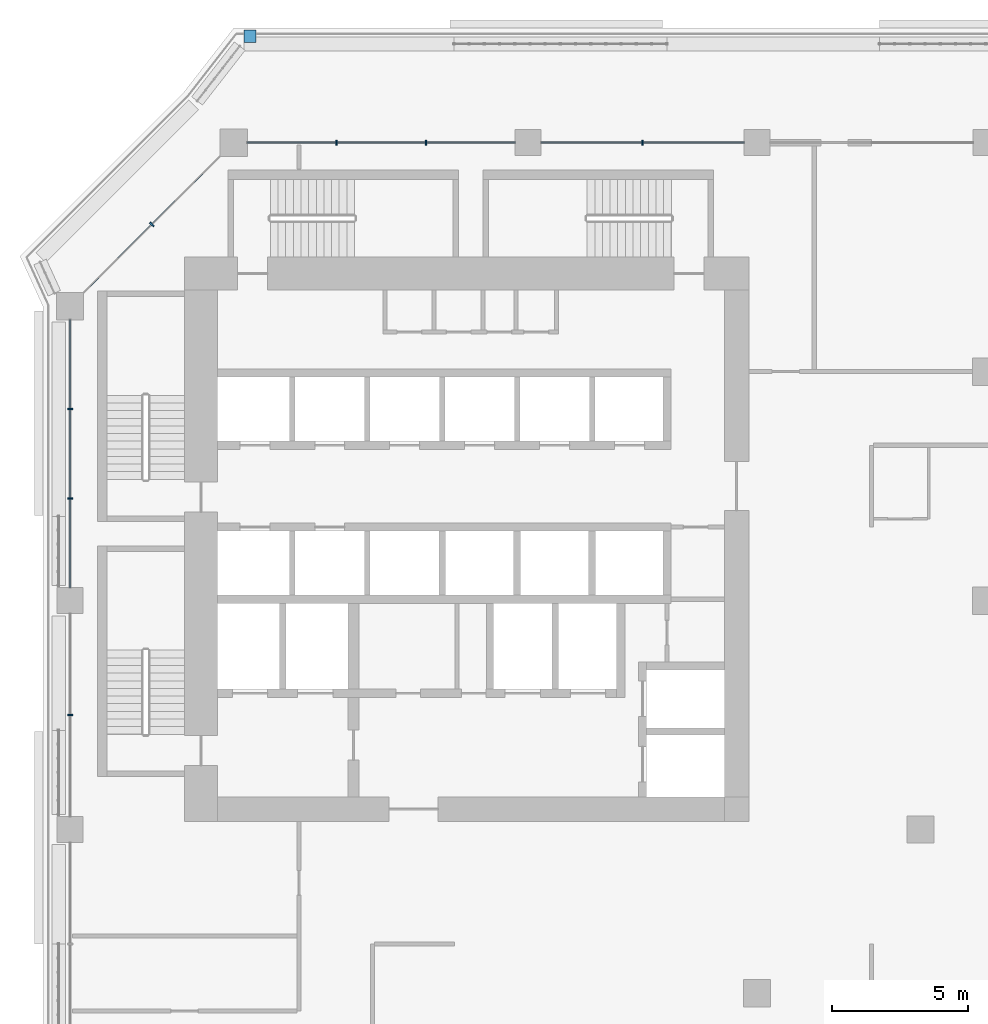
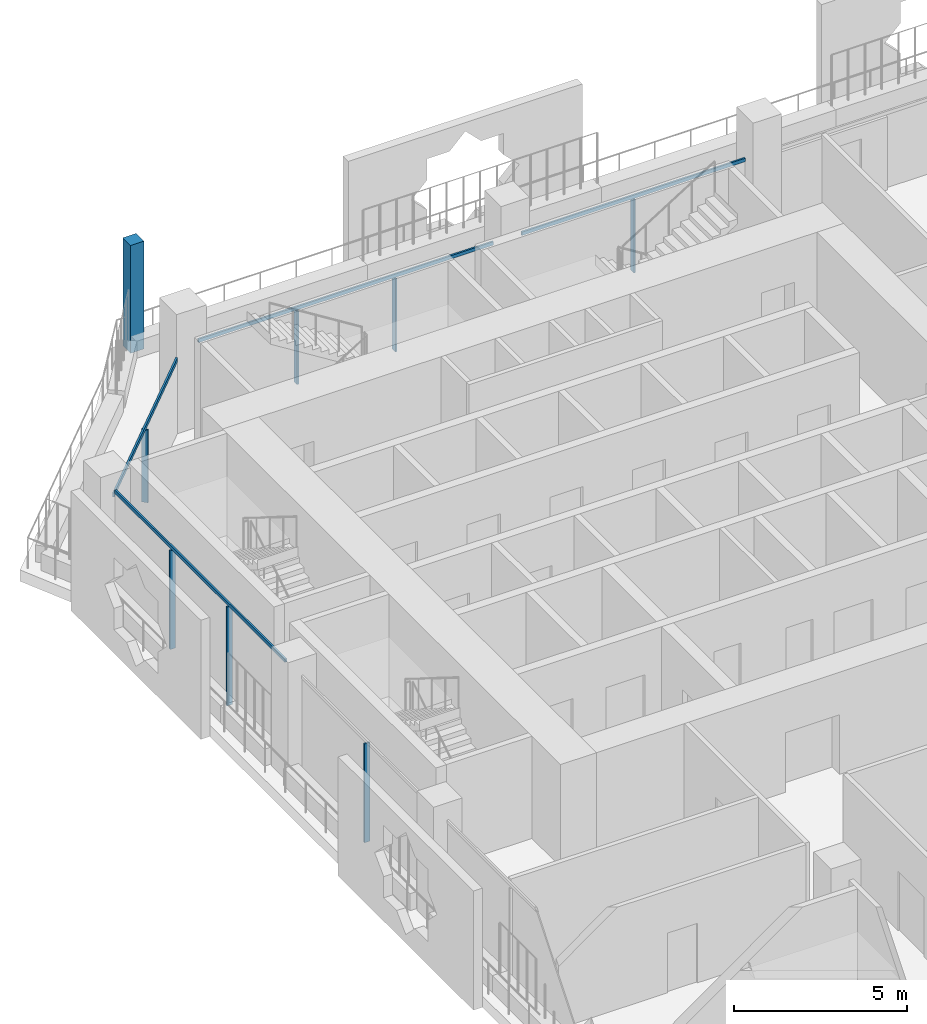
# One storey, part 5 of 23: 12 members, 4 elements without a shape of their own.
"""IFC4 building model written with IfcOpenShell, lengths in metres."""

from ifc_helpers import new_model, si_unit, direction, frame, origin, origin_2d, place, context, subcontext, project, spatial, rectangle, extrude, material, layer, layer_set, material_profile, profile_set, type_object, element, aggregate, save


model = new_model("IFC4")

# Units and contexts
model_context = context("Model", 3, precision=1e-05, world=origin(), true_north=direction((0.0, 1.0)))
body_context = subcontext(model_context, "Body", "Model", "MODEL_VIEW")
ifc_project = project(units=[si_unit("LENGTHUNIT", "METRE"), si_unit("AREAUNIT", "SQUARE_METRE"), si_unit("VOLUMEUNIT", "CUBIC_METRE"), si_unit("PLANEANGLEUNIT", "RADIAN"), si_unit("MASSUNIT", "GRAM", prefix="KILO")], contexts=[model_context])

# Site, building, storey
site_placement = place(None, origin())
site = spatial("IfcSite", under=ifc_project, at=site_placement, CompositionType="ELEMENT")
building_placement = place(site_placement, origin())
building = spatial("IfcBuilding", under=site, at=building_placement, Name="Kawkab Arch Medical Tower", CompositionType="ELEMENT")
storey_placement = place(building_placement, frame((0.0, 0.0, 158.39990234375)))
storey = spatial("IfcBuildingStorey", under=building, at=storey_placement, Name="L36", CompositionType="ELEMENT", Elevation=158.39990234375)

# Curtain wall, members
ifc_material_1 = material(Name="Bronze anodised aluminium curtain wall frame", Category="aluminium")
ifc_layer_1 = layer(ifc_material_1, 0.159912109375)
ifc_layer_set_1 = layer_set([ifc_layer_1], Name="Bronze anodised aluminium curtain wall frame")
curtain_wall_type_1 = type_object("IfcCurtainWallType", Name="CW1 ward curtain wall", PredefinedType="NOTDEFINED", material=ifc_layer_set_1)
placement = place(storey_placement, origin())
curtain_wall_1 = element("IfcCurtainWall", 1, at=placement, inside=storey, type_object=curtain_wall_type_1, Name="CW1 Ward curtain wall R09", PredefinedType="NOTDEFINED")
ifc_material_2 = material(Name="Bronze anodised aluminium curtain wall frame", Category="aluminium")
ifc_material_profile_1 = material_profile(ifc_material_2, rectangle(XDim=0.179931640625, YDim=0.06005859375, at=origin_2d()), Name="AL 60x180")
ifc_profile_set_1 = profile_set([ifc_material_profile_1], Name="Bronze anodised aluminium curtain wall frame")
member_type_1 = type_object("IfcMemberType", Name="CW1 mullion 60 x 180", PredefinedType="MULLION", material=ifc_profile_set_1)
member_1_placement = place(storey_placement, frame((21.0, 0.0, 0.0), z_axis=(0.0, 0.0, 1.0), x_axis=(0.0, -1.0, 0.0)))
member_1 = element("IfcMember", 2, at=member_1_placement, type_object=member_type_1, Name="CW1 mullion 5.1", PredefinedType="MULLION", context=body_context, shape_type="SweptSolid", body=[
    extrude(rectangle(XDim=0.179931640625, YDim=0.06005859375, at=origin_2d()), origin(), (0.0, 0.0, 1.0), 2.580078125),
])
member_2_placement = place(storey_placement, frame((13.050048828125, 0.0, 0.0), z_axis=(0.0, 0.0, 1.0), x_axis=(0.0, -1.0, 0.0)))
member_2 = element("IfcMember", 3, at=member_2_placement, type_object=member_type_1, Name="CW1 mullion 6.1", PredefinedType="MULLION", context=body_context, shape_type="SweptSolid", body=[
    extrude(rectangle(XDim=0.179931640625, YDim=0.06005859375, at=origin_2d()), origin(), (0.0, 0.0, 1.0), 2.580078125),
])
member_3_placement = place(storey_placement, frame((9.77490234375, 0.0, 0.0), z_axis=(0.0, 0.0, 1.0), x_axis=(0.0, -1.0, 0.0)))
member_3 = element("IfcMember", 4, at=member_3_placement, type_object=member_type_1, Name="CW1 mullion 6.2", PredefinedType="MULLION", context=body_context, shape_type="SweptSolid", body=[
    extrude(rectangle(XDim=0.179931640625, YDim=0.06005859375, at=origin_2d()), origin(), (0.0, 0.0, 1.0), 2.580078125),
])

curtain_wall_2 = element("IfcCurtainWall", 5, at=placement, inside=storey, type_object=curtain_wall_type_1, Name="CW1 Ward curtain wall R11", PredefinedType="NOTDEFINED")
member_4_placement = place(storey_placement, frame((0.0, -9.77490234375, 0.0), z_axis=(0.0, 0.0, 1.0), x_axis=(1.0, 0.0, 0.0)))
member_4 = element("IfcMember", 6, at=member_4_placement, type_object=member_type_1, Name="CW1 mullion 1.1", PredefinedType="MULLION", context=body_context, shape_type="SweptSolid", body=[
    extrude(rectangle(XDim=0.179931640625, YDim=0.06005859375, at=origin_2d()), origin(), (0.0, 0.0, 1.0), 3.47998046875),
])
member_5_placement = place(storey_placement, frame((0.0, -13.050048828125, 0.0), z_axis=(0.0, 0.0, 1.0), x_axis=(1.0, 0.0, 0.0)))
member_5 = element("IfcMember", 7, at=member_5_placement, type_object=member_type_1, Name="CW1 mullion 1.2", PredefinedType="MULLION", context=body_context, shape_type="SweptSolid", body=[
    extrude(rectangle(XDim=0.179931640625, YDim=0.06005859375, at=origin_2d()), origin(), (0.0, 0.0, 1.0), 3.47998046875),
])
member_6_placement = place(storey_placement, frame((0.0, -21.0, 0.0), z_axis=(0.0, 0.0, 1.0), x_axis=(1.0, 0.0, 0.0)))
member_6 = element("IfcMember", 8, at=member_6_placement, type_object=member_type_1, Name="CW1 mullion 2.1", PredefinedType="MULLION", context=body_context, shape_type="SweptSolid", body=[
    extrude(rectangle(XDim=0.179931640625, YDim=0.06005859375, at=origin_2d()), origin(), (0.0, 0.0, 1.0), 3.47998046875),
])

# Member
ifc_material_3 = material(Name="Bronze anodised aluminium curtain wall frame", Category="aluminium")
ifc_material_profile_2 = material_profile(ifc_material_3, rectangle(XDim=0.06005859375, YDim=0.1201171875, at=origin_2d()), Name="AL 60x120")
ifc_profile_set_2 = profile_set([ifc_material_profile_2], Name="Bronze anodised aluminium curtain wall frame")
member_type_2 = type_object("IfcMemberType", Name="CW1 transom 120 x 60", PredefinedType="USERDEFINED", material=ifc_profile_set_2)
member_7_placement = place(storey_placement, frame((24.72509765625, 0.0, 2.64013671875), z_axis=(-1.0, 0.0, 0.0), x_axis=(0.0, -1.0, 0.0)))
member_7 = element("IfcMember", 9, at=member_7_placement, type_object=member_type_2, Name="CW1 transom 5", ObjectType="TRANSOM", PredefinedType="USERDEFINED", context=body_context, shape_type="SweptSolid", body=[
    extrude(rectangle(XDim=0.06005859375, YDim=0.1201171875, at=origin_2d()), origin(), (0.0, 0.0, 1.0), 7.4501953125),
])

member_8_placement = place(storey_placement, frame((16.324951171875, 0.0, 2.64013671875), z_axis=(-1.0, 0.0, 0.0), x_axis=(0.0, -1.0, 0.0)))
member_8 = element("IfcMember", 10, at=member_8_placement, type_object=member_type_2, Name="CW1 transom 6", ObjectType="TRANSOM", PredefinedType="USERDEFINED", context=body_context, shape_type="SweptSolid", body=[
    extrude(rectangle(XDim=0.06005859375, YDim=0.1201171875, at=origin_2d()), origin(), (0.0, 0.0, 1.0), 9.824951171875),
])

aggregate(curtain_wall_1, [member_7, member_1, member_8, member_2, member_3])

member_9_placement = place(storey_placement, frame((0.0, -6.5, 3.5400390625), z_axis=(0.0, -1.0, 0.0), x_axis=(1.0, 0.0, 0.0)))
member_9 = element("IfcMember", 11, at=member_9_placement, type_object=member_type_2, Name="CW1 transom 1", ObjectType="TRANSOM", PredefinedType="USERDEFINED", context=body_context, shape_type="SweptSolid", body=[
    extrude(rectangle(XDim=0.06005859375, YDim=0.1201171875, at=origin_2d()), origin(), (0.0, 0.0, 1.0), 9.824951171875),
])

aggregate(curtain_wall_2, [member_9, member_4, member_5, member_6])

# Curtain wall, members
ifc_material_4 = material(Name="Bronze anodised aluminium curtain wall frame", Category="aluminium")
ifc_layer_2 = layer(ifc_material_4, 0.159912109375)
ifc_layer_set_2 = layer_set([ifc_layer_2], Name="Bronze anodised aluminium curtain wall frame")
curtain_wall_type_2 = type_object("IfcCurtainWallType", Name="CW2 chamfer curtain wall", PredefinedType="NOTDEFINED", material=ifc_layer_set_2)
curtain_wall_3 = element("IfcCurtainWall", 12, at=placement, inside=storey, type_object=curtain_wall_type_2, Name="CW2 Chamfer curtain wall R10", PredefinedType="NOTDEFINED")
ifc_material_5 = material(Name="Bronze anodised aluminium curtain wall frame", Category="aluminium")
ifc_material_profile_3 = material_profile(ifc_material_5, rectangle(XDim=0.199951171875, YDim=0.06005859375, at=origin_2d()), Name="AL 60x200")
ifc_profile_set_3 = profile_set([ifc_material_profile_3], Name="Bronze anodised aluminium curtain wall frame")
member_type_3 = type_object("IfcMemberType", Name="CW2 mullion 60 x 200", PredefinedType="MULLION", material=ifc_profile_set_3)
member_10_placement = place(storey_placement, frame((3.0, -3.0, 0.0), z_axis=(0.0, 0.0, 1.0), x_axis=(0.707106781187, -0.707106781187, 0.0)))
member_10 = element("IfcMember", 13, at=member_10_placement, type_object=member_type_3, Name="CW2 mullion 1.1", PredefinedType="MULLION", context=body_context, shape_type="SweptSolid", body=[
    extrude(rectangle(XDim=0.199951171875, YDim=0.06005859375, at=origin_2d()), origin(), (0.0, 0.0, 1.0), 2.56005859375),
])
ifc_material_6 = material(Name="Bronze anodised aluminium curtain wall frame", Category="aluminium")
ifc_material_profile_4 = material_profile(ifc_material_6, rectangle(XDim=0.06005859375, YDim=0.139892578125, at=origin_2d()), Name="AL 60x140")
ifc_profile_set_4 = profile_set([ifc_material_profile_4], Name="Bronze anodised aluminium curtain wall frame")
member_type_4 = type_object("IfcMemberType", Name="CW2 transom 140 x 60", PredefinedType="USERDEFINED", material=ifc_profile_set_4)
member_11_placement = place(storey_placement, frame((5.5, -0.5, 2.630126953125), z_axis=(-0.707106781187, -0.707106781187, 0.0), x_axis=(0.707106781187, -0.707106781187, 0.0)))
member_11 = element("IfcMember", 14, at=member_11_placement, type_object=member_type_4, Name="CW2 transom 1", ObjectType="TRANSOM", PredefinedType="USERDEFINED", context=body_context, shape_type="SweptSolid", body=[
    extrude(rectangle(XDim=0.06005859375, YDim=0.139892578125, at=origin_2d()), origin(), (0.0, 0.0, 1.0), 7.071044921875),
])
aggregate(curtain_wall_3, [member_11, member_10])

# Curtain wall, member
ifc_material_7 = material(Name="Bronze anodised aluminium climber frame, planted", Category="aluminium")
ifc_layer_3 = layer(ifc_material_7, 0.449951171875)
ifc_layer_set_3 = layer_set([ifc_layer_3], Name="Bronze anodised aluminium climber frame, planted")
curtain_wall_type_3 = type_object("IfcCurtainWallType", Name="Planted climber frame", PredefinedType="NOTDEFINED", material=ifc_layer_set_3)
curtain_wall_4 = element("IfcCurtainWall", 15, at=placement, inside=storey, type_object=curtain_wall_type_3, Name="Planted climber frame L36", PredefinedType="NOTDEFINED")
ifc_material_8 = material(Name="Bronze anodised aluminium climber frame, planted", Category="aluminium")
ifc_material_profile_5 = material_profile(ifc_material_8, rectangle(XDim=0.449951171875, YDim=0.449951171875, at=origin_2d()), Name="Post 450x450")
ifc_profile_set_5 = profile_set([ifc_material_profile_5], Name="Bronze anodised aluminium climber frame, planted")
member_type_5 = type_object("IfcMemberType", Name="Planted climber post 450 x 450", PredefinedType="MULLION", material=ifc_profile_set_5)
member_12_placement = place(storey_placement, frame((6.596923828125, 3.89990234375, 0.0), z_axis=(0.0, 0.0, 1.0), x_axis=(1.0, 0.0, 0.0)))
member_12 = element("IfcMember", 16, at=member_12_placement, type_object=member_type_5, Name="Planted climber post L36.LOG-01-02.1", PredefinedType="MULLION", context=body_context, shape_type="SweptSolid", body=[
    extrude(rectangle(XDim=0.449951171875, YDim=0.449951171875, at=origin_2d()), origin(), (0.0, 0.0, 1.0), 3.800048828125),
])
aggregate(curtain_wall_4, [member_12])

save(model, "model.ifc")
